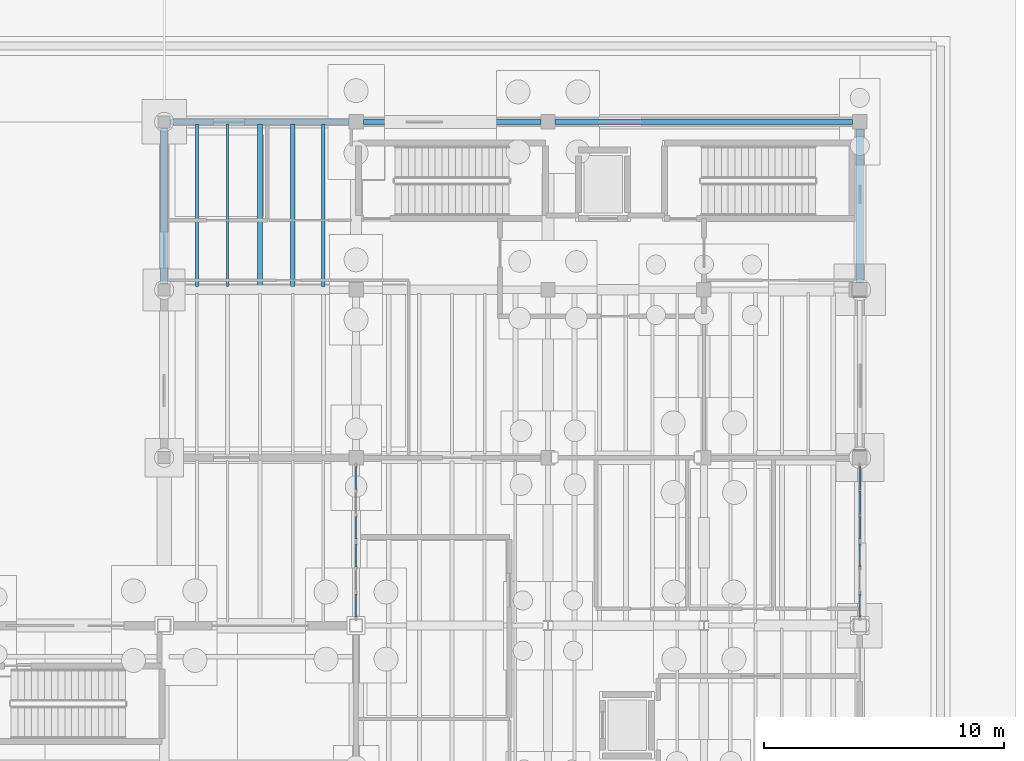
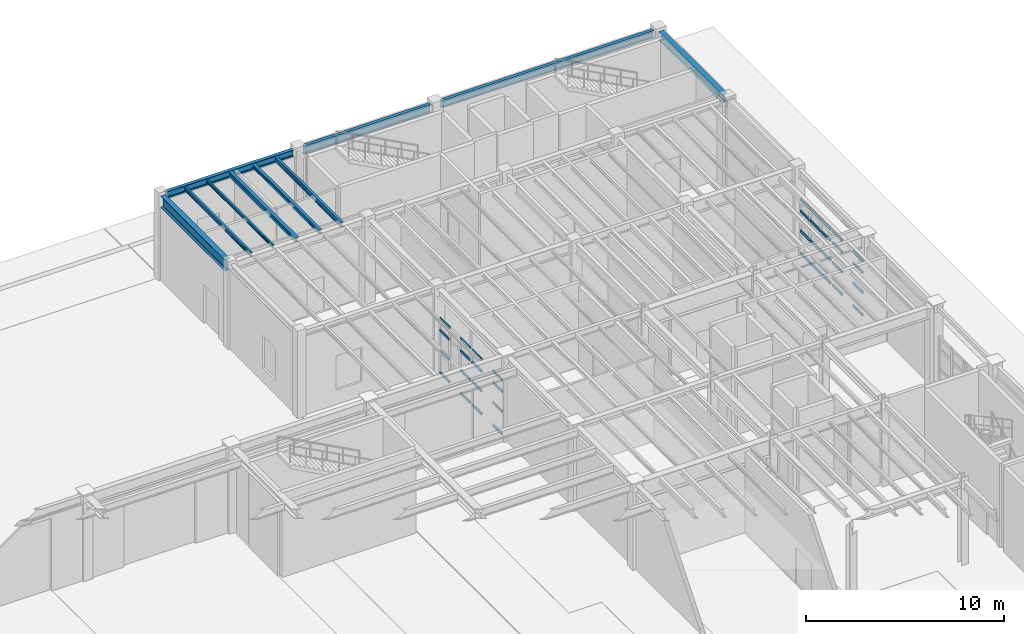
# One storey, part 47 of 86: 36 members, 10 beams, 4 elements without a shape of their own.
"""IFC4 building model written with IfcOpenShell, lengths in metres."""

from ifc_helpers import new_model, si_unit, direction, frame, origin, origin_2d, place, context, subcontext, project, spatial, hollow_rectangle, i_section, extrude, material, material_profile, profile_set, type_object, element, aggregate, save


model = new_model("IFC4")

# Units and contexts
model_context = context("Model", 3, precision=1e-05, world=origin(), true_north=direction((0.0, 1.0)))
body_context = subcontext(model_context, "Body", "Model", "MODEL_VIEW")
ifc_project = project(units=[si_unit("LENGTHUNIT", "METRE"), si_unit("AREAUNIT", "SQUARE_METRE"), si_unit("VOLUMEUNIT", "CUBIC_METRE"), si_unit("PLANEANGLEUNIT", "RADIAN"), si_unit("MASSUNIT", "GRAM", prefix="KILO"), si_unit("THERMODYNAMICTEMPERATUREUNIT", "KELVIN"), si_unit("POWERUNIT", "WATT")], contexts=[model_context])

# Site, building, storey
site_placement = place(None, origin())
site = spatial("IfcSite", under=ifc_project, at=site_placement, CompositionType="ELEMENT")
building_placement = place(site_placement, origin())
building = spatial("IfcBuilding", under=site, at=building_placement, Name="Zhenchuan Central Fire Station", CompositionType="ELEMENT")
storey_placement = place(building_placement, frame((0.0, 0.0, 0.449951171875)))
storey = spatial("IfcBuildingStorey", under=building, at=storey_placement, Name="L01", CompositionType="ELEMENT", Elevation=0.449951171875)

# Beams
ifc_material_1 = material(Name="Steel Q355B", Category="steel")
ifc_material_profile_1 = material_profile(ifc_material_1, i_section(OverallWidth=0.300048828125, OverallDepth=0.5, WebThickness=0.010986328125, FlangeThickness=0.01806640625, FilletRadius=0.02197265625, at=origin_2d()), Name="HM 500x300")
ifc_profile_set_1 = profile_set([ifc_material_profile_1], Name="Steel Q355B")
beam_type_1 = type_object("IfcBeamType", Name="BM-HM500", PredefinedType="BEAM", material=ifc_profile_set_1)
beam_1_placement = place(storey_placement, frame((161.0, 49.800048828125, 4.949951171875), z_axis=(0.0, 1.0, 0.0), x_axis=(-1.0, 0.0, 0.0)))
element("IfcBeam", 1, at=beam_1_placement, inside=storey, type_object=beam_type_1, Name="L02 Girder NS 0182", PredefinedType="BEAM", context=body_context, shape_type="SweptSolid", body=[
    extrude(i_section(OverallWidth=0.300048828125, OverallDepth=0.5, WebThickness=0.010986328125, FlangeThickness=0.01806640625, FilletRadius=0.02197265625, at=origin_2d()), origin(), (0.0, 0.0, 1.0), 6.39990234375),
])
ifc_material_profile_2 = material_profile(ifc_material_1, i_section(OverallWidth=0.199951171875, OverallDepth=0.449951171875, WebThickness=0.009033203125, FlangeThickness=0.013916015625, FilletRadius=0.01806640625, at=origin_2d()), Name="HN 450x200")
ifc_profile_set_2 = profile_set([ifc_material_profile_2], Name="Steel Q355B")
beam_type_2 = type_object("IfcBeamType", Name="BM-HN450-EXT", PredefinedType="BEAM", material=ifc_profile_set_2)
beam_2_placement = place(storey_placement, frame((148.300048828125, 56.5, 4.97509765625), z_axis=(1.0, 0.0, 0.0), x_axis=(0.0, 1.0, 0.0)))
element("IfcBeam", 2, at=beam_2_placement, inside=storey, type_object=beam_type_2, Name="L02 Girder EW 0103", PredefinedType="BEAM", context=body_context, shape_type="SweptSolid", body=[
    extrude(i_section(OverallWidth=0.199951171875, OverallDepth=0.449951171875, WebThickness=0.009033203125, FlangeThickness=0.013916015625, FilletRadius=0.01806640625, at=origin_2d()), origin(), (0.0, 0.0, 1.0), 12.39990234375),
])
ifc_material_profile_3 = material_profile(ifc_material_1, i_section(OverallWidth=0.199951171875, OverallDepth=0.5, WebThickness=0.010009765625, FlangeThickness=0.01611328125, FilletRadius=0.02001953125, at=origin_2d()), Name="HN 500x200")
ifc_profile_set_3 = profile_set([ifc_material_profile_3], Name="Steel Q355B")
beam_type_3 = type_object("IfcBeamType", Name="BM-HN500", PredefinedType="BEAM", material=ifc_profile_set_3)
beam_3_placement = place(storey_placement, frame((140.300048828125, 56.5, 4.949951171875), z_axis=(1.0, 0.0, 0.0), x_axis=(0.0, 1.0, 0.0)))
element("IfcBeam", 3, at=beam_3_placement, inside=storey, type_object=beam_type_3, Name="L02 Girder EW 0102", PredefinedType="BEAM", context=body_context, shape_type="SweptSolid", body=[
    extrude(i_section(OverallWidth=0.199951171875, OverallDepth=0.5, WebThickness=0.010009765625, FlangeThickness=0.01611328125, FilletRadius=0.02001953125, at=origin_2d()), origin(), (0.0, 0.0, 1.0), 7.39990234375),
])
ifc_material_profile_4 = material_profile(ifc_material_1, i_section(OverallWidth=0.300048828125, OverallDepth=0.699951171875, WebThickness=0.012939453125, FlangeThickness=0.02392578125, FilletRadius=0.02392578125, at=origin_2d()), Name="HN 700x300")
ifc_profile_set_4 = profile_set([ifc_material_profile_4], Name="Steel Q355B")
beam_type_4 = type_object("IfcBeamType", Name="BM-HN700", PredefinedType="BEAM", material=ifc_profile_set_4)
beam_4_placement = place(storey_placement, frame((132.0, 49.75, 4.85009765625), z_axis=(0.0, 1.0, 0.0), x_axis=(-1.0, 0.0, 0.0)))
element("IfcBeam", 4, at=beam_4_placement, inside=storey, type_object=beam_type_4, Name="L02 Girder NS 0153", PredefinedType="BEAM", context=body_context, shape_type="SweptSolid", body=[
    extrude(i_section(OverallWidth=0.300048828125, OverallDepth=0.699951171875, WebThickness=0.012939453125, FlangeThickness=0.02392578125, FilletRadius=0.02392578125, at=origin_2d()), origin(), (0.0, 0.0, 1.0), 6.5),
])

# Curtain wall, members
ifc_material_2 = material(Name="Anodised aluminium and low-E glazing", Category="aluminium")
curtain_wall_type_1 = type_object("IfcCurtainWallType", Name="CW-MOD-11", PredefinedType="USERDEFINED", material=ifc_material_2)
curtain_wall_1_placement = place(storey_placement, origin())
curtain_wall_1 = element("IfcCurtainWall", 5, at=curtain_wall_1_placement, inside=storey, type_object=curtain_wall_type_1, Name="L01 Unitised Curtain Wall 078", ObjectType="UNITISED GLAZING", PredefinedType="USERDEFINED")
ifc_material_3 = material(Name="Anodised aluminium EN AW-6063", Category="aluminium")
ifc_material_profile_5 = material_profile(ifc_material_3, hollow_rectangle(XDim=0.074951171875, YDim=0.14990234375, WallThickness=0.0048828125, at=origin_2d()), Name="ALU-T 150x75")
ifc_profile_set_5 = profile_set([ifc_material_profile_5], Name="Anodised aluminium EN AW-6063")
member_type_1 = type_object("IfcMemberType", Name="CW-TRN130", PredefinedType="NOTDEFINED", material=ifc_profile_set_5)
member_1_placement = place(storey_placement, frame((161.0, 35.864990234375, 0.028564453125), z_axis=(0.0, 1.0, 0.0), x_axis=(-1.0, 0.0, 0.0)))
member_1 = element("IfcMember", 6, at=member_1_placement, type_object=member_type_1, Name="CW-11 transom 1.1", ObjectType="TRANSOM", PredefinedType="USERDEFINED", context=body_context, shape_type="SweptSolid", body=[
    extrude(hollow_rectangle(XDim=0.074951171875, YDim=0.14990234375, WallThickness=0.0048828125, at=origin_2d()), origin(), (0.0, 0.0, 1.0), 0.95654296875),
])
member_2_placement = place(storey_placement, frame((161.0, 35.864990234375, 1.427978515625), z_axis=(0.0, 1.0, 0.0), x_axis=(-1.0, 0.0, 0.0)))
member_2 = element("IfcMember", 7, at=member_2_placement, type_object=member_type_1, Name="CW-11 transom 1.2", ObjectType="TRANSOM", PredefinedType="USERDEFINED", context=body_context, shape_type="SweptSolid", body=[
    extrude(hollow_rectangle(XDim=0.074951171875, YDim=0.14990234375, WallThickness=0.0048828125, at=origin_2d()), origin(), (0.0, 0.0, 1.0), 0.95654296875),
])
member_3_placement = place(storey_placement, frame((161.0, 35.864990234375, 2.652099609375), z_axis=(0.0, 1.0, 0.0), x_axis=(-1.0, 0.0, 0.0)))
member_3 = element("IfcMember", 8, at=member_3_placement, type_object=member_type_1, Name="CW-11 transom 1.3", ObjectType="TRANSOM", PredefinedType="USERDEFINED", context=body_context, shape_type="SweptSolid", body=[
    extrude(hollow_rectangle(XDim=0.074951171875, YDim=0.14990234375, WallThickness=0.0048828125, at=origin_2d()), origin(), (0.0, 0.0, 1.0), 0.95654296875),
])
member_4_placement = place(storey_placement, frame((161.0, 35.864990234375, 3.367431640625), z_axis=(0.0, 1.0, 0.0), x_axis=(-1.0, 0.0, 0.0)))
member_4 = element("IfcMember", 9, at=member_4_placement, type_object=member_type_1, Name="CW-11 transom 1.4", ObjectType="TRANSOM", PredefinedType="USERDEFINED", context=body_context, shape_type="SweptSolid", body=[
    extrude(hollow_rectangle(XDim=0.074951171875, YDim=0.14990234375, WallThickness=0.0048828125, at=origin_2d()), origin(), (0.0, 0.0, 1.0), 0.95654296875),
])
member_5_placement = place(storey_placement, frame((161.0, 37.9404296875, 0.028564453125), z_axis=(0.0, 1.0, 0.0), x_axis=(-1.0, 0.0, 0.0)))
member_5 = element("IfcMember", 10, at=member_5_placement, type_object=member_type_1, Name="CW-11 transom 3.1", ObjectType="TRANSOM", PredefinedType="USERDEFINED", context=body_context, shape_type="SweptSolid", body=[
    extrude(hollow_rectangle(XDim=0.074951171875, YDim=0.14990234375, WallThickness=0.0048828125, at=origin_2d()), origin(), (0.0, 0.0, 1.0), 0.95654296875),
])
member_6_placement = place(storey_placement, frame((161.0, 37.9404296875, 1.427978515625), z_axis=(0.0, 1.0, 0.0), x_axis=(-1.0, 0.0, 0.0)))
member_6 = element("IfcMember", 11, at=member_6_placement, type_object=member_type_1, Name="CW-11 transom 3.2", ObjectType="TRANSOM", PredefinedType="USERDEFINED", context=body_context, shape_type="SweptSolid", body=[
    extrude(hollow_rectangle(XDim=0.074951171875, YDim=0.14990234375, WallThickness=0.0048828125, at=origin_2d()), origin(), (0.0, 0.0, 1.0), 0.95654296875),
])
member_7_placement = place(storey_placement, frame((161.0, 37.9404296875, 2.652099609375), z_axis=(0.0, 1.0, 0.0), x_axis=(-1.0, 0.0, 0.0)))
member_7 = element("IfcMember", 12, at=member_7_placement, type_object=member_type_1, Name="CW-11 transom 3.3", ObjectType="TRANSOM", PredefinedType="USERDEFINED", context=body_context, shape_type="SweptSolid", body=[
    extrude(hollow_rectangle(XDim=0.074951171875, YDim=0.14990234375, WallThickness=0.0048828125, at=origin_2d()), origin(), (0.0, 0.0, 1.0), 0.95654296875),
])
member_8_placement = place(storey_placement, frame((161.0, 37.9404296875, 3.367431640625), z_axis=(0.0, 1.0, 0.0), x_axis=(-1.0, 0.0, 0.0)))
member_8 = element("IfcMember", 13, at=member_8_placement, type_object=member_type_1, Name="CW-11 transom 3.4", ObjectType="TRANSOM", PredefinedType="USERDEFINED", context=body_context, shape_type="SweptSolid", body=[
    extrude(hollow_rectangle(XDim=0.074951171875, YDim=0.14990234375, WallThickness=0.0048828125, at=origin_2d()), origin(), (0.0, 0.0, 1.0), 0.95654296875),
])
aggregate(curtain_wall_1, [member_1, member_2, member_3, member_4, member_5, member_6, member_7, member_8])

curtain_wall_type_2 = type_object("IfcCurtainWallType", Name="CW-MOD-10", PredefinedType="USERDEFINED", material=ifc_material_2)
curtain_wall_2_placement = place(storey_placement, origin())
curtain_wall_2 = element("IfcCurtainWall", 14, at=curtain_wall_2_placement, inside=storey, type_object=curtain_wall_type_2, Name="L01 Unitised Curtain Wall 082", ObjectType="UNITISED GLAZING", PredefinedType="USERDEFINED")
member_9_placement = place(storey_placement, frame((140.0, 35.864990234375, 0.028564453125), z_axis=(0.0, 1.0, 0.0), x_axis=(-1.0, 0.0, 0.0)))
member_9 = element("IfcMember", 15, at=member_9_placement, type_object=member_type_1, Name="CW-10 transom 1.1", ObjectType="TRANSOM", PredefinedType="USERDEFINED", context=body_context, shape_type="SweptSolid", body=[
    extrude(hollow_rectangle(XDim=0.074951171875, YDim=0.14990234375, WallThickness=0.0048828125, at=origin_2d()), origin(), (0.0, 0.0, 1.0), 0.95654296875),
])
member_10_placement = place(storey_placement, frame((140.0, 35.864990234375, 1.427978515625), z_axis=(0.0, 1.0, 0.0), x_axis=(-1.0, 0.0, 0.0)))
member_10 = element("IfcMember", 16, at=member_10_placement, type_object=member_type_1, Name="CW-10 transom 1.2", ObjectType="TRANSOM", PredefinedType="USERDEFINED", context=body_context, shape_type="SweptSolid", body=[
    extrude(hollow_rectangle(XDim=0.074951171875, YDim=0.14990234375, WallThickness=0.0048828125, at=origin_2d()), origin(), (0.0, 0.0, 1.0), 0.95654296875),
])
member_11_placement = place(storey_placement, frame((140.0, 35.864990234375, 2.652099609375), z_axis=(0.0, 1.0, 0.0), x_axis=(-1.0, 0.0, 0.0)))
member_11 = element("IfcMember", 17, at=member_11_placement, type_object=member_type_1, Name="CW-10 transom 1.3", ObjectType="TRANSOM", PredefinedType="USERDEFINED", context=body_context, shape_type="SweptSolid", body=[
    extrude(hollow_rectangle(XDim=0.074951171875, YDim=0.14990234375, WallThickness=0.0048828125, at=origin_2d()), origin(), (0.0, 0.0, 1.0), 0.95654296875),
])
member_12_placement = place(storey_placement, frame((140.0, 35.864990234375, 3.367431640625), z_axis=(0.0, 1.0, 0.0), x_axis=(-1.0, 0.0, 0.0)))
member_12 = element("IfcMember", 18, at=member_12_placement, type_object=member_type_1, Name="CW-10 transom 1.4", ObjectType="TRANSOM", PredefinedType="USERDEFINED", context=body_context, shape_type="SweptSolid", body=[
    extrude(hollow_rectangle(XDim=0.074951171875, YDim=0.14990234375, WallThickness=0.0048828125, at=origin_2d()), origin(), (0.0, 0.0, 1.0), 0.95654296875),
])
member_13_placement = place(storey_placement, frame((140.0, 37.9404296875, 0.028564453125), z_axis=(0.0, 1.0, 0.0), x_axis=(-1.0, 0.0, 0.0)))
member_13 = element("IfcMember", 19, at=member_13_placement, type_object=member_type_1, Name="CW-10 transom 3.1", ObjectType="TRANSOM", PredefinedType="USERDEFINED", context=body_context, shape_type="SweptSolid", body=[
    extrude(hollow_rectangle(XDim=0.074951171875, YDim=0.14990234375, WallThickness=0.0048828125, at=origin_2d()), origin(), (0.0, 0.0, 1.0), 0.95654296875),
])
member_14_placement = place(storey_placement, frame((140.0, 37.9404296875, 1.427978515625), z_axis=(0.0, 1.0, 0.0), x_axis=(-1.0, 0.0, 0.0)))
member_14 = element("IfcMember", 20, at=member_14_placement, type_object=member_type_1, Name="CW-10 transom 3.2", ObjectType="TRANSOM", PredefinedType="USERDEFINED", context=body_context, shape_type="SweptSolid", body=[
    extrude(hollow_rectangle(XDim=0.074951171875, YDim=0.14990234375, WallThickness=0.0048828125, at=origin_2d()), origin(), (0.0, 0.0, 1.0), 0.95654296875),
])
member_15_placement = place(storey_placement, frame((140.0, 37.9404296875, 2.652099609375), z_axis=(0.0, 1.0, 0.0), x_axis=(-1.0, 0.0, 0.0)))
member_15 = element("IfcMember", 21, at=member_15_placement, type_object=member_type_1, Name="CW-10 transom 3.3", ObjectType="TRANSOM", PredefinedType="USERDEFINED", context=body_context, shape_type="SweptSolid", body=[
    extrude(hollow_rectangle(XDim=0.074951171875, YDim=0.14990234375, WallThickness=0.0048828125, at=origin_2d()), origin(), (0.0, 0.0, 1.0), 0.95654296875),
])
member_16_placement = place(storey_placement, frame((140.0, 37.9404296875, 3.367431640625), z_axis=(0.0, 1.0, 0.0), x_axis=(-1.0, 0.0, 0.0)))
member_16 = element("IfcMember", 22, at=member_16_placement, type_object=member_type_1, Name="CW-10 transom 3.4", ObjectType="TRANSOM", PredefinedType="USERDEFINED", context=body_context, shape_type="SweptSolid", body=[
    extrude(hollow_rectangle(XDim=0.074951171875, YDim=0.14990234375, WallThickness=0.0048828125, at=origin_2d()), origin(), (0.0, 0.0, 1.0), 0.95654296875),
])
aggregate(curtain_wall_2, [member_9, member_10, member_11, member_12, member_13, member_14, member_15, member_16])

curtain_wall_3_placement = place(storey_placement, origin())
curtain_wall_3 = element("IfcCurtainWall", 23, at=curtain_wall_3_placement, inside=storey, type_object=curtain_wall_type_1, Name="L01 Unitised Curtain Wall 083", ObjectType="UNITISED GLAZING", PredefinedType="USERDEFINED")
member_17_placement = place(storey_placement, frame((140.0, 39.10302734375, 0.028564453125), z_axis=(0.0, 1.0, 0.0), x_axis=(-1.0, 0.0, 0.0)))
member_17 = element("IfcMember", 24, at=member_17_placement, type_object=member_type_1, Name="CW-11 transom 1.1", ObjectType="TRANSOM", PredefinedType="USERDEFINED", context=body_context, shape_type="SweptSolid", body=[
    extrude(hollow_rectangle(XDim=0.074951171875, YDim=0.14990234375, WallThickness=0.0048828125, at=origin_2d()), origin(), (0.0, 0.0, 1.0), 0.95654296875),
])
member_18_placement = place(storey_placement, frame((140.0, 39.10302734375, 1.427978515625), z_axis=(0.0, 1.0, 0.0), x_axis=(-1.0, 0.0, 0.0)))
member_18 = element("IfcMember", 25, at=member_18_placement, type_object=member_type_1, Name="CW-11 transom 1.2", ObjectType="TRANSOM", PredefinedType="USERDEFINED", context=body_context, shape_type="SweptSolid", body=[
    extrude(hollow_rectangle(XDim=0.074951171875, YDim=0.14990234375, WallThickness=0.0048828125, at=origin_2d()), origin(), (0.0, 0.0, 1.0), 0.95654296875),
])
member_19_placement = place(storey_placement, frame((140.0, 39.10302734375, 2.652099609375), z_axis=(0.0, 1.0, 0.0), x_axis=(-1.0, 0.0, 0.0)))
member_19 = element("IfcMember", 26, at=member_19_placement, type_object=member_type_1, Name="CW-11 transom 1.3", ObjectType="TRANSOM", PredefinedType="USERDEFINED", context=body_context, shape_type="SweptSolid", body=[
    extrude(hollow_rectangle(XDim=0.074951171875, YDim=0.14990234375, WallThickness=0.0048828125, at=origin_2d()), origin(), (0.0, 0.0, 1.0), 0.95654296875),
])
member_20_placement = place(storey_placement, frame((140.0, 39.10302734375, 3.367431640625), z_axis=(0.0, 1.0, 0.0), x_axis=(-1.0, 0.0, 0.0)))
member_20 = element("IfcMember", 27, at=member_20_placement, type_object=member_type_1, Name="CW-11 transom 1.4", ObjectType="TRANSOM", PredefinedType="USERDEFINED", context=body_context, shape_type="SweptSolid", body=[
    extrude(hollow_rectangle(XDim=0.074951171875, YDim=0.14990234375, WallThickness=0.0048828125, at=origin_2d()), origin(), (0.0, 0.0, 1.0), 0.95654296875),
])
member_21_placement = place(storey_placement, frame((140.0, 41.178466796875, 0.028564453125), z_axis=(0.0, 1.0, 0.0), x_axis=(-1.0, 0.0, 0.0)))
member_21 = element("IfcMember", 28, at=member_21_placement, type_object=member_type_1, Name="CW-11 transom 3.1", ObjectType="TRANSOM", PredefinedType="USERDEFINED", context=body_context, shape_type="SweptSolid", body=[
    extrude(hollow_rectangle(XDim=0.074951171875, YDim=0.14990234375, WallThickness=0.0048828125, at=origin_2d()), origin(), (0.0, 0.0, 1.0), 0.95654296875),
])
member_22_placement = place(storey_placement, frame((140.0, 41.178466796875, 1.427978515625), z_axis=(0.0, 1.0, 0.0), x_axis=(-1.0, 0.0, 0.0)))
member_22 = element("IfcMember", 29, at=member_22_placement, type_object=member_type_1, Name="CW-11 transom 3.2", ObjectType="TRANSOM", PredefinedType="USERDEFINED", context=body_context, shape_type="SweptSolid", body=[
    extrude(hollow_rectangle(XDim=0.074951171875, YDim=0.14990234375, WallThickness=0.0048828125, at=origin_2d()), origin(), (0.0, 0.0, 1.0), 0.95654296875),
])
member_23_placement = place(storey_placement, frame((140.0, 41.178466796875, 2.652099609375), z_axis=(0.0, 1.0, 0.0), x_axis=(-1.0, 0.0, 0.0)))
member_23 = element("IfcMember", 30, at=member_23_placement, type_object=member_type_1, Name="CW-11 transom 3.3", ObjectType="TRANSOM", PredefinedType="USERDEFINED", context=body_context, shape_type="SweptSolid", body=[
    extrude(hollow_rectangle(XDim=0.074951171875, YDim=0.14990234375, WallThickness=0.0048828125, at=origin_2d()), origin(), (0.0, 0.0, 1.0), 0.95654296875),
])
member_24_placement = place(storey_placement, frame((140.0, 41.178466796875, 3.367431640625), z_axis=(0.0, 1.0, 0.0), x_axis=(-1.0, 0.0, 0.0)))
member_24 = element("IfcMember", 31, at=member_24_placement, type_object=member_type_1, Name="CW-11 transom 3.4", ObjectType="TRANSOM", PredefinedType="USERDEFINED", context=body_context, shape_type="SweptSolid", body=[
    extrude(hollow_rectangle(XDim=0.074951171875, YDim=0.14990234375, WallThickness=0.0048828125, at=origin_2d()), origin(), (0.0, 0.0, 1.0), 0.95654296875),
])
aggregate(curtain_wall_3, [member_17, member_18, member_19, member_20, member_21, member_22, member_23, member_24])

curtain_wall_type_3 = type_object("IfcCurtainWallType", Name="CW-MOD-12", PredefinedType="USERDEFINED", material=ifc_material_2)
curtain_wall_4_placement = place(storey_placement, origin())
curtain_wall_4 = element("IfcCurtainWall", 32, at=curtain_wall_4_placement, inside=storey, type_object=curtain_wall_type_3, Name="L01 Unitised Curtain Wall 079", ObjectType="UNITISED GLAZING", PredefinedType="USERDEFINED")
ifc_material_profile_6 = material_profile(ifc_material_3, hollow_rectangle(XDim=0.080078125, YDim=0.1650390625, WallThickness=0.0048828125, at=origin_2d()), Name="ALU-T 165x80")
ifc_profile_set_6 = profile_set([ifc_material_profile_6], Name="Anodised aluminium EN AW-6063")
member_type_2 = type_object("IfcMemberType", Name="CW-TRN150", PredefinedType="NOTDEFINED", material=ifc_profile_set_6)
member_25_placement = place(storey_placement, frame((161.0, 39.113037109375, 0.033447265625), z_axis=(0.0, 1.0, 0.0), x_axis=(-1.0, 0.0, 0.0)))
member_25 = element("IfcMember", 33, at=member_25_placement, type_object=member_type_2, Name="CW-12 transom 1.1", ObjectType="TRANSOM", PredefinedType="USERDEFINED", context=body_context, shape_type="SweptSolid", body=[
    extrude(hollow_rectangle(XDim=0.080078125, YDim=0.1650390625, WallThickness=0.0048828125, at=origin_2d()), origin(), (0.0, 0.0, 1.0), 0.94140625),
])
member_26_placement = place(storey_placement, frame((161.0, 39.113037109375, 1.427978515625), z_axis=(0.0, 1.0, 0.0), x_axis=(-1.0, 0.0, 0.0)))
member_26 = element("IfcMember", 34, at=member_26_placement, type_object=member_type_2, Name="CW-12 transom 1.2", ObjectType="TRANSOM", PredefinedType="USERDEFINED", context=body_context, shape_type="SweptSolid", body=[
    extrude(hollow_rectangle(XDim=0.080078125, YDim=0.1650390625, WallThickness=0.0048828125, at=origin_2d()), origin(), (0.0, 0.0, 1.0), 0.94140625),
])
member_27_placement = place(storey_placement, frame((161.0, 39.113037109375, 2.652099609375), z_axis=(0.0, 1.0, 0.0), x_axis=(-1.0, 0.0, 0.0)))
member_27 = element("IfcMember", 35, at=member_27_placement, type_object=member_type_2, Name="CW-12 transom 1.3", ObjectType="TRANSOM", PredefinedType="USERDEFINED", context=body_context, shape_type="SweptSolid", body=[
    extrude(hollow_rectangle(XDim=0.080078125, YDim=0.1650390625, WallThickness=0.0048828125, at=origin_2d()), origin(), (0.0, 0.0, 1.0), 0.94140625),
])
member_28_placement = place(storey_placement, frame((161.0, 39.113037109375, 3.362548828125), z_axis=(0.0, 1.0, 0.0), x_axis=(-1.0, 0.0, 0.0)))
member_28 = element("IfcMember", 36, at=member_28_placement, type_object=member_type_2, Name="CW-12 transom 1.4", ObjectType="TRANSOM", PredefinedType="USERDEFINED", context=body_context, shape_type="SweptSolid", body=[
    extrude(hollow_rectangle(XDim=0.080078125, YDim=0.1650390625, WallThickness=0.0048828125, at=origin_2d()), origin(), (0.0, 0.0, 1.0), 0.94140625),
])
member_29_placement = place(storey_placement, frame((161.0, 40.12939453125, 0.033447265625), z_axis=(0.0, 1.0, 0.0), x_axis=(-1.0, 0.0, 0.0)))
member_29 = element("IfcMember", 37, at=member_29_placement, type_object=member_type_2, Name="CW-12 transom 2.1", ObjectType="TRANSOM", PredefinedType="USERDEFINED", context=body_context, shape_type="SweptSolid", body=[
    extrude(hollow_rectangle(XDim=0.080078125, YDim=0.1650390625, WallThickness=0.0048828125, at=origin_2d()), origin(), (0.0, 0.0, 1.0), 0.97900390625),
])
member_30_placement = place(storey_placement, frame((161.0, 40.12939453125, 1.427978515625), z_axis=(0.0, 1.0, 0.0), x_axis=(-1.0, 0.0, 0.0)))
member_30 = element("IfcMember", 38, at=member_30_placement, type_object=member_type_2, Name="CW-12 transom 2.2", ObjectType="TRANSOM", PredefinedType="USERDEFINED", context=body_context, shape_type="SweptSolid", body=[
    extrude(hollow_rectangle(XDim=0.080078125, YDim=0.1650390625, WallThickness=0.0048828125, at=origin_2d()), origin(), (0.0, 0.0, 1.0), 0.97900390625),
])
member_31_placement = place(storey_placement, frame((161.0, 40.12939453125, 2.652099609375), z_axis=(0.0, 1.0, 0.0), x_axis=(-1.0, 0.0, 0.0)))
member_31 = element("IfcMember", 39, at=member_31_placement, type_object=member_type_2, Name="CW-12 transom 2.3", ObjectType="TRANSOM", PredefinedType="USERDEFINED", context=body_context, shape_type="SweptSolid", body=[
    extrude(hollow_rectangle(XDim=0.080078125, YDim=0.1650390625, WallThickness=0.0048828125, at=origin_2d()), origin(), (0.0, 0.0, 1.0), 0.97900390625),
])
member_32_placement = place(storey_placement, frame((161.0, 40.12939453125, 3.362548828125), z_axis=(0.0, 1.0, 0.0), x_axis=(-1.0, 0.0, 0.0)))
member_32 = element("IfcMember", 40, at=member_32_placement, type_object=member_type_2, Name="CW-12 transom 2.4", ObjectType="TRANSOM", PredefinedType="USERDEFINED", context=body_context, shape_type="SweptSolid", body=[
    extrude(hollow_rectangle(XDim=0.080078125, YDim=0.1650390625, WallThickness=0.0048828125, at=origin_2d()), origin(), (0.0, 0.0, 1.0), 0.97900390625),
])
member_33_placement = place(storey_placement, frame((161.0, 41.18359375, 0.033447265625), z_axis=(0.0, 1.0, 0.0), x_axis=(-1.0, 0.0, 0.0)))
member_33 = element("IfcMember", 41, at=member_33_placement, type_object=member_type_2, Name="CW-12 transom 3.1", ObjectType="TRANSOM", PredefinedType="USERDEFINED", context=body_context, shape_type="SweptSolid", body=[
    extrude(hollow_rectangle(XDim=0.080078125, YDim=0.1650390625, WallThickness=0.0048828125, at=origin_2d()), origin(), (0.0, 0.0, 1.0), 0.94140625),
])
member_34_placement = place(storey_placement, frame((161.0, 41.18359375, 1.427978515625), z_axis=(0.0, 1.0, 0.0), x_axis=(-1.0, 0.0, 0.0)))
member_34 = element("IfcMember", 42, at=member_34_placement, type_object=member_type_2, Name="CW-12 transom 3.2", ObjectType="TRANSOM", PredefinedType="USERDEFINED", context=body_context, shape_type="SweptSolid", body=[
    extrude(hollow_rectangle(XDim=0.080078125, YDim=0.1650390625, WallThickness=0.0048828125, at=origin_2d()), origin(), (0.0, 0.0, 1.0), 0.94140625),
])
member_35_placement = place(storey_placement, frame((161.0, 41.18359375, 2.652099609375), z_axis=(0.0, 1.0, 0.0), x_axis=(-1.0, 0.0, 0.0)))
member_35 = element("IfcMember", 43, at=member_35_placement, type_object=member_type_2, Name="CW-12 transom 3.3", ObjectType="TRANSOM", PredefinedType="USERDEFINED", context=body_context, shape_type="SweptSolid", body=[
    extrude(hollow_rectangle(XDim=0.080078125, YDim=0.1650390625, WallThickness=0.0048828125, at=origin_2d()), origin(), (0.0, 0.0, 1.0), 0.94140625),
])
member_36_placement = place(storey_placement, frame((161.0, 41.18359375, 3.362548828125), z_axis=(0.0, 1.0, 0.0), x_axis=(-1.0, 0.0, 0.0)))
member_36 = element("IfcMember", 44, at=member_36_placement, type_object=member_type_2, Name="CW-12 transom 3.4", ObjectType="TRANSOM", PredefinedType="USERDEFINED", context=body_context, shape_type="SweptSolid", body=[
    extrude(hollow_rectangle(XDim=0.080078125, YDim=0.1650390625, WallThickness=0.0048828125, at=origin_2d()), origin(), (0.0, 0.0, 1.0), 0.94140625),
])
aggregate(curtain_wall_4, [member_25, member_26, member_27, member_28, member_29, member_30, member_31, member_32, member_33, member_34, member_35, member_36])

# Beams
ifc_material_profile_7 = material_profile(ifc_material_1, i_section(OverallWidth=0.175048828125, OverallDepth=0.243896484375, WebThickness=0.007080078125, FlangeThickness=0.010986328125, FilletRadius=0.012939453125, at=origin_2d()), Name="HM 244x175")
ifc_profile_set_7 = profile_set([ifc_material_profile_7], Name="Steel Q355B")
beam_type_5 = type_object("IfcBeamType", Name="JS-HM244", PredefinedType="JOIST", material=ifc_profile_set_7)
beam_5_placement = place(storey_placement, frame((137.360107421875, 49.64697265625, 5.078125), z_axis=(0.0, 1.0, 0.0), x_axis=(-1.0, 0.0, 0.0)))
element("IfcBeam", 45, at=beam_5_placement, inside=storey, type_object=beam_type_5, Name="L02 Secondary Joist 0295", PredefinedType="JOIST", context=body_context, shape_type="SweptSolid", body=[
    extrude(i_section(OverallWidth=0.175048828125, OverallDepth=0.243896484375, WebThickness=0.007080078125, FlangeThickness=0.010986328125, FilletRadius=0.012939453125, at=origin_2d()), origin(), (0.0, 0.0, 1.0), 6.756103515625),
])
ifc_material_profile_8 = material_profile(ifc_material_1, i_section(OverallWidth=0.199951171875, OverallDepth=0.2939453125, WebThickness=0.008056640625, FlangeThickness=0.011962890625, FilletRadius=0.01611328125, at=origin_2d()), Name="HM 294x200")
ifc_profile_set_8 = profile_set([ifc_material_profile_8], Name="Steel Q355B")
beam_type_6 = type_object("IfcBeamType", Name="JS-HM294", PredefinedType="JOIST", material=ifc_profile_set_8)
beam_6_placement = place(storey_placement, frame((136.0, 49.64697265625, 5.052978515625), z_axis=(0.0, 1.0, 0.0), x_axis=(-1.0, 0.0, 0.0)))
element("IfcBeam", 46, at=beam_6_placement, inside=storey, type_object=beam_type_6, Name="L02 Secondary Joist 0294", PredefinedType="JOIST", context=body_context, shape_type="SweptSolid", body=[
    extrude(i_section(OverallWidth=0.199951171875, OverallDepth=0.2939453125, WebThickness=0.008056640625, FlangeThickness=0.011962890625, FilletRadius=0.01611328125, at=origin_2d()), origin(), (0.0, 0.0, 1.0), 6.756103515625),
])
ifc_material_profile_9 = material_profile(ifc_material_1, i_section(OverallWidth=0.10009765625, OverallDepth=0.199951171875, WebThickness=0.005615234375, FlangeThickness=0.008056640625, FilletRadius=0.010986328125, at=origin_2d()), Name="HN 200x100")
ifc_profile_set_9 = profile_set([ifc_material_profile_9], Name="Steel Q355B")
beam_type_7 = type_object("IfcBeamType", Name="JS-HN200", PredefinedType="JOIST", material=ifc_profile_set_9)
beam_7_placement = place(storey_placement, frame((134.639892578125, 49.64697265625, 5.10009765625), z_axis=(0.0, 1.0, 0.0), x_axis=(-1.0, 0.0, 0.0)))
element("IfcBeam", 47, at=beam_7_placement, inside=storey, type_object=beam_type_7, Name="L02 Secondary Joist 0293", PredefinedType="JOIST", context=body_context, shape_type="SweptSolid", body=[
    extrude(i_section(OverallWidth=0.10009765625, OverallDepth=0.199951171875, WebThickness=0.005615234375, FlangeThickness=0.008056640625, FilletRadius=0.010986328125, at=origin_2d()), origin(), (0.0, 0.0, 1.0), 6.756103515625),
])
ifc_material_profile_10 = material_profile(ifc_material_1, i_section(OverallWidth=0.125, OverallDepth=0.25, WebThickness=0.006103515625, FlangeThickness=0.009033203125, FilletRadius=0.011962890625, at=origin_2d()), Name="HN 250x125")
ifc_profile_set_10 = profile_set([ifc_material_profile_10], Name="Steel Q355B")
beam_type_8 = type_object("IfcBeamType", Name="JS-HN250", PredefinedType="JOIST", material=ifc_profile_set_10)
beam_8_placement = place(storey_placement, frame((133.360107421875, 49.64697265625, 5.074951171875), z_axis=(0.0, 1.0, 0.0), x_axis=(-1.0, 0.0, 0.0)))
element("IfcBeam", 48, at=beam_8_placement, inside=storey, type_object=beam_type_8, Name="L02 Secondary Joist 0292", PredefinedType="JOIST", context=body_context, shape_type="SweptSolid", body=[
    extrude(i_section(OverallWidth=0.125, OverallDepth=0.25, WebThickness=0.006103515625, FlangeThickness=0.009033203125, FilletRadius=0.011962890625, at=origin_2d()), origin(), (0.0, 0.0, 1.0), 6.756103515625),
])
ifc_material_profile_11 = material_profile(ifc_material_1, i_section(OverallWidth=0.14990234375, OverallDepth=0.300048828125, WebThickness=0.006591796875, FlangeThickness=0.009033203125, FilletRadius=0.012939453125, at=origin_2d()), Name="HN 300x150")
ifc_profile_set_11 = profile_set([ifc_material_profile_11], Name="Steel Q355B")
beam_type_9 = type_object("IfcBeamType", Name="JS-HN300", PredefinedType="JOIST", material=ifc_profile_set_11)
beam_9_placement = place(storey_placement, frame((138.639892578125, 49.64697265625, 5.050048828125), z_axis=(0.0, 1.0, 0.0), x_axis=(-1.0, 0.0, 0.0)))
element("IfcBeam", 49, at=beam_9_placement, inside=storey, type_object=beam_type_9, Name="L02 Secondary Joist 0296", PredefinedType="JOIST", context=body_context, shape_type="SweptSolid", body=[
    extrude(i_section(OverallWidth=0.14990234375, OverallDepth=0.300048828125, WebThickness=0.006591796875, FlangeThickness=0.009033203125, FilletRadius=0.012939453125, at=origin_2d()), origin(), (0.0, 0.0, 1.0), 6.756103515625),
])
ifc_material_profile_12 = material_profile(ifc_material_1, i_section(OverallWidth=0.199951171875, OverallDepth=0.39990234375, WebThickness=0.008056640625, FlangeThickness=0.012939453125, FilletRadius=0.01611328125, at=origin_2d()), Name="HN 400x200")
ifc_profile_set_12 = profile_set([ifc_material_profile_12], Name="Steel Q355B")
beam_type_10 = type_object("IfcBeamType", Name="SP-HN400", PredefinedType="SPANDREL", material=ifc_profile_set_12)
beam_10_placement = place(storey_placement, frame((132.25, 56.5, 5.0), z_axis=(1.0, 0.0, 0.0), x_axis=(0.0, 1.0, 0.0)))
element("IfcBeam", 50, at=beam_10_placement, inside=storey, type_object=beam_type_10, Name="L02 Girder EW 0101", PredefinedType="SPANDREL", context=body_context, shape_type="SweptSolid", body=[
    extrude(i_section(OverallWidth=0.199951171875, OverallDepth=0.39990234375, WebThickness=0.008056640625, FlangeThickness=0.012939453125, FilletRadius=0.01611328125, at=origin_2d()), origin(), (0.0, 0.0, 1.0), 7.449951171875),
])

save(model, "model.ifc")
